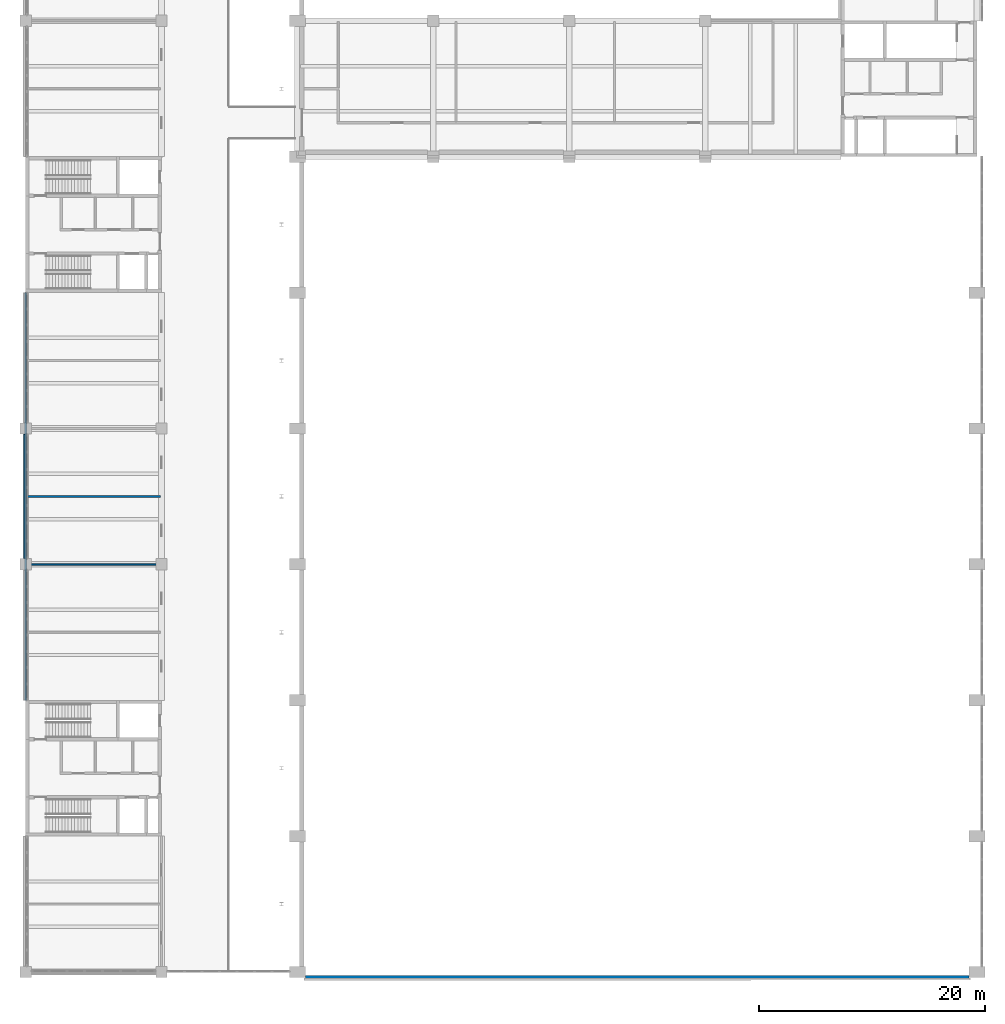
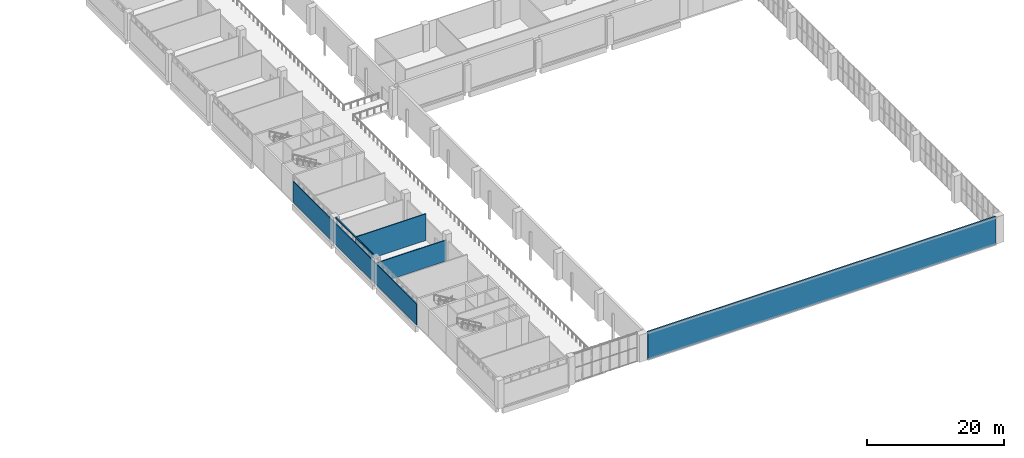
# One storey, part 52 of 69: 5 walls.
"""IFC4 building model written with IfcOpenShell, lengths in metres."""

import ifcopenshell
import ifcopenshell.guid

model = None  # the IFC model being written
_history = None  # IfcOwnerHistory: only IFC2X3 demands one
_inside = {}  # id of a spatial element -> (the spatial element, [elements in it])
_under = {}  # id of a project, library or spatial element -> (it, [spatial elements below it])
_declared = {}  # id of a project -> (the project, [libraries it declares])
_typed = {}  # id of a type object -> (the type object, [elements of that type])
_made_of = {}  # id of a material, layer set ... -> (it, [elements and type objects made of it])


def new_model(schema):
    """Start an empty IFC model of exactly this schema.

    Asked for "IFC4X3", IfcOpenShell would pick the latest addendum, in which some entities
    have other attributes; the version numbers below select the first issue.
    IFC2X3 requires an IfcOwnerHistory on every rooted entity: one is made here for all.
    """
    global model, _history
    if schema == "IFC4X3":
        model = ifcopenshell.file(schema_version=(4, 3, 0, 0))
    else:
        model = ifcopenshell.file(schema=schema)
    _inside.clear()
    _under.clear()
    _declared.clear()
    _typed.clear()
    _made_of.clear()
    _history = None
    if model.schema == "IFC2X3":
        org = make("IfcOrganization", Name="unknown")
        user = make(
            "IfcPersonAndOrganization",
            ThePerson=make("IfcPerson", FamilyName="unknown"),
            TheOrganization=org,
        )
        app = make(
            "IfcApplication",
            ApplicationDeveloper=org,
            Version="unknown",
            ApplicationFullName="unknown",
            ApplicationIdentifier="unknown",
        )
        _history = make(
            "IfcOwnerHistory",
            OwningUser=user,
            OwningApplication=app,
            ChangeAction="ADDED",
            CreationDate=0,
        )
    return model


def make(cls, **values):
    """One entity of the class cls with the attributes given. An attribute that is None is left unset."""
    return model.create_entity(
        cls, **{name: value for name, value in values.items() if value is not None}
    )


def rooted(cls, **values):
    """An entity with a GlobalId (a new one), such as an element, a storey or a relation."""
    return make(cls, GlobalId=ifcopenshell.guid.new(), OwnerHistory=_history, **values)


def si_unit(unit_type, name, prefix=None):
    """IfcSIUnit, for example si_unit("LENGTHUNIT", "METRE", prefix="MILLI")."""
    return make("IfcSIUnit", UnitType=unit_type, Prefix=prefix, Name=name)


def assignment(units):
    """IfcUnitAssignment: the units of a project."""
    return None if units is None else make("IfcUnitAssignment", Units=units)


def point(xyz):
    """IfcCartesianPoint."""
    return None if xyz is None else make("IfcCartesianPoint", Coordinates=xyz)


def direction(xyz):
    """IfcDirection."""
    return None if xyz is None else make("IfcDirection", DirectionRatios=xyz)


def frame(location, z_axis=None, x_axis=None):
    """IfcAxis2Placement3D, a coordinate frame: its origin and axes. An axis left out is left unset."""
    return make(
        "IfcAxis2Placement3D",
        Location=point(location),
        Axis=direction(z_axis),
        RefDirection=direction(x_axis),
    )


def frame_2d(location, x_axis=None):
    """IfcAxis2Placement2D, a coordinate frame in the plane: its origin and x axis."""
    return make(
        "IfcAxis2Placement2D", Location=point(location), RefDirection=direction(x_axis)
    )


def origin():
    """The frame at (0, 0, 0) with its axes left unset."""
    return frame((0.0, 0.0, 0.0))


def place(relative_to, where):
    """IfcLocalPlacement: puts the frame where relative to a parent placement (None: the world)."""
    return make(
        "IfcLocalPlacement", PlacementRelTo=relative_to, RelativePlacement=where
    )


def context(
    kind, dimensions, precision=None, world=None, true_north=None, identifier=None
):
    """IfcGeometricRepresentationContext, for example the 3D "Model" context."""
    return make(
        "IfcGeometricRepresentationContext",
        ContextIdentifier=identifier,
        ContextType=kind,
        CoordinateSpaceDimension=dimensions,
        Precision=precision,
        WorldCoordinateSystem=world,
        TrueNorth=true_north,
    )


def subcontext(parent, identifier, kind, view, scale=None):
    """IfcGeometricRepresentationSubContext, for example "Body" below "Model"."""
    return make(
        "IfcGeometricRepresentationSubContext",
        ContextIdentifier=identifier,
        ContextType=kind,
        ParentContext=parent,
        TargetScale=scale,
        TargetView=view,
    )


def project(units=None, contexts=None):
    """IfcProject with its units and contexts."""
    return rooted(
        "IfcProject",
        Name="project",
        RepresentationContexts=contexts,
        UnitsInContext=assignment(units),
    )


def spatial(cls, under=None, at=None, **own):
    """A site, building, storey or space (cls), placed at a placement, below another one or the project."""
    s = rooted(cls, ObjectPlacement=at, **own)
    if under is not None:
        _under.setdefault(under.id(), (under, []))[1].append(s)
    return s


def profile(cls, at=None, kind="AREA", **sizes):
    """A parametric profile (cls). Its sizes go by their IFC names, for example OverallWidth=200.0."""
    return make(cls, ProfileType=kind, Position=at, **sizes)


def rectangle(**sizes):
    """IfcRectangleProfileDef."""
    return profile("IfcRectangleProfileDef", **sizes)


def extrude(swept, where, along, depth):
    """IfcExtrudedAreaSolid: the profile swept, set in the frame where, extruded along a direction by depth."""
    return make(
        "IfcExtrudedAreaSolid",
        SweptArea=swept,
        Position=where,
        ExtrudedDirection=direction(along),
        Depth=depth,
    )


def shape(context_of_items, identifier, shape_type, items):
    """IfcShapeRepresentation: the items that make up one representation, for example the "Body"."""
    return make(
        "IfcShapeRepresentation",
        ContextOfItems=context_of_items,
        RepresentationIdentifier=identifier,
        RepresentationType=shape_type,
        Items=items,
    )


def material(Name=None, Category=None):
    """IfcMaterial."""
    return make("IfcMaterial", Name=Name, Category=Category)


def layer(
    of_material, thickness, ventilated=None, Name=None, Category=None, Priority=None
):
    """IfcMaterialLayer: one layer of a wall or slab, of a material (None: an air gap)."""
    return make(
        "IfcMaterialLayer",
        Material=of_material,
        LayerThickness=thickness,
        IsVentilated=ventilated,
        Name=Name,
        Category=Category,
        Priority=Priority,
    )


def layer_set(layers, Name=None):
    """IfcMaterialLayerSet."""
    return make("IfcMaterialLayerSet", MaterialLayers=layers, LayerSetName=Name)


def made_of(thing, what):
    """Note that an element or type object is made of a material, layer set ...; save() writes the relation."""
    if what is not None:
        _made_of.setdefault(what.id(), (what, []))[1].append(thing)
    return thing


def type_object(cls, material=None, **own):
    """A type object (cls), such as IfcWallType, which elements share."""
    return made_of(rooted(cls, **own), material)


def element(
    cls,
    number,
    at=None,
    inside=None,
    cuts=None,
    type_object=None,
    material=None,
    context=None,
    identifier="Body",
    shape_type=None,
    held_by="IfcProductDefinitionShape",
    body=None,
    shapes=None,
    **own,
):
    """One element of the class cls, such as IfcWall. Its Tag is "e" and its number.

    at: its placement. inside: the storey or other place that contains it. cuts: it is an
    opening in that element (IfcRelVoidsElement). A single representation is given by context,
    identifier, shape_type and body (its items); several are given by shapes. held_by: the class
    of the entity that holds the representations. save() writes the other relations.
    """
    e = rooted(cls, Tag="e%d" % number, ObjectPlacement=at, **own)
    if body is not None:
        shapes = [shape(context, identifier, shape_type, body)]
    if shapes is not None:
        e.Representation = make(held_by, Representations=shapes)
    if inside is not None:
        _inside.setdefault(inside.id(), (inside, []))[1].append(e)
    if cuts is not None:
        rooted(
            "IfcRelVoidsElement", RelatingBuildingElement=cuts, RelatedOpeningElement=e
        )
    if type_object is not None:
        _typed.setdefault(type_object.id(), (type_object, []))[1].append(e)
    return made_of(e, material)


def aggregate(whole, parts):
    """IfcRelAggregates: a whole, such as a stair, and the parts it consists of."""
    return rooted("IfcRelAggregates", RelatingObject=whole, RelatedObjects=parts)


def save(model, path):
    """Write the relations noted so far, then the file.

    IfcRelAggregates (storeys below a building ...), IfcRelContainedInSpatialStructure (elements
    in a storey), IfcRelDefinesByType, IfcRelAssociatesMaterial and IfcRelDeclares: one each for
    every whole, place, type object, material and project.
    """
    for whole, parts in _under.values():
        aggregate(whole, parts)
    for where, things in _inside.values():
        rooted(
            "IfcRelContainedInSpatialStructure",
            RelatedElements=things,
            RelatingStructure=where,
        )
    for kind, things in _typed.values():
        rooted("IfcRelDefinesByType", RelatedObjects=things, RelatingType=kind)
    for what, things in _made_of.values():
        rooted("IfcRelAssociatesMaterial", RelatedObjects=things, RelatingMaterial=what)
    for by, libraries in _declared.values():
        rooted("IfcRelDeclares", RelatingContext=by, RelatedDefinitions=libraries)
    model.write(path)


model = new_model("IFC4")

# Units and contexts
model_context = context("Model", 3, precision=1e-05, world=origin(), true_north=direction((0.0, 1.0)))
body_context = subcontext(model_context, "Body", "Model", "MODEL_VIEW")
ifc_project = project(units=[si_unit("LENGTHUNIT", "METRE"), si_unit("AREAUNIT", "SQUARE_METRE"), si_unit("VOLUMEUNIT", "CUBIC_METRE"), si_unit("PLANEANGLEUNIT", "RADIAN"), si_unit("MASSUNIT", "GRAM", prefix="KILO")], contexts=[model_context])

# Site, building, storey
site_placement = place(None, origin())
site = spatial("IfcSite", under=ifc_project, at=site_placement, CompositionType="ELEMENT")
building_placement = place(site_placement, origin())
building = spatial("IfcBuilding", under=site, at=building_placement, Name="Lilac Gate Convention Centre", CompositionType="ELEMENT")
storey_placement = place(building_placement, frame((0.0, 0.0, 12.0)))
storey = spatial("IfcBuildingStorey", under=building, at=storey_placement, Name="L02", CompositionType="ELEMENT", Elevation=12.0)

# Walls
ifc_material_1 = material(Name="Insulated sandwich panel, steel faces Q235, mineral wool core", Category="steel")
ifc_layer_1 = layer(ifc_material_1, 0.25)
ifc_layer_set_1 = layer_set([ifc_layer_1], Name="Insulated sandwich panel, steel faces Q235, mineral wool core")
wall_type_1 = type_object("IfcWallType", Name="Hall insulated wall panel 250", PredefinedType="STANDARD", material=ifc_layer_set_1)
wall_1_placement = place(storey_placement, frame((30.699951171875, 29.574951171875, 0.0), z_axis=(0.0, 0.0, 1.0), x_axis=(1.0, 0.0, 0.0)))
element("IfcWall", 1, at=wall_1_placement, inside=storey, type_object=wall_type_1, Name="External wall hall south HS L02 1", PredefinedType="STANDARD", context=body_context, shape_type="SweptSolid", body=[
    extrude(rectangle(XDim=58.60009765625, YDim=0.25, at=frame_2d((29.300048828125, 0.0))), origin(), (0.0, 0.0, 1.0), 5.0),
])
ifc_material_2 = material(Name="Fire-rated gypsum board on steel stud", Category="steel")
ifc_layer_2 = layer(ifc_material_2, 0.14990234375)
ifc_layer_set_2 = layer_set([ifc_layer_2], Name="Fire-rated gypsum board on steel stud")
wall_type_2 = type_object("IfcWallType", Name="Partition 150 fire-rated gypsum board EI 60", PredefinedType="PARTITIONING", material=ifc_layer_set_2)
wall_2_placement = place(storey_placement, frame((6.074951171875, 66.0, 0.0), z_axis=(0.0, 0.0, 1.0), x_axis=(1.0, 0.0, 0.0)))
element("IfcWall", 2, at=wall_2_placement, inside=storey, type_object=wall_type_2, Name="Partition 150 fire-rated gypsum board EI 60", PredefinedType="PARTITIONING", context=body_context, shape_type="SweptSolid", body=[
    extrude(rectangle(XDim=11.824951171875, YDim=0.14990234375, at=frame_2d((5.91259765625, 0.0))), origin(), (0.0, 0.0, 1.0), 3.75),
])
wall_3_placement = place(storey_placement, frame((6.074951171875, 72.0, 0.0), z_axis=(0.0, 0.0, 1.0), x_axis=(1.0, 0.0, 0.0)))
element("IfcWall", 3, at=wall_3_placement, inside=storey, type_object=wall_type_2, Name="Partition 150 fire-rated gypsum board EI 60", PredefinedType="PARTITIONING", context=body_context, shape_type="SweptSolid", body=[
    extrude(rectangle(XDim=11.824951171875, YDim=0.14990234375, at=frame_2d((5.91259765625, 0.0))), origin(), (0.0, 0.0, 1.0), 4.75),
])
wall_4_placement = place(storey_placement, frame((6.0, 54.0, 0.0), z_axis=(0.0, 0.0, 1.0), x_axis=(0.0, 1.0, 0.0)))
element("IfcWall", 4, at=wall_4_placement, inside=storey, type_object=wall_type_2, Name="Partition 150 fire-rated gypsum board EI 60", PredefinedType="PARTITIONING", context=body_context, shape_type="SweptSolid", body=[
    extrude(rectangle(XDim=36.0, YDim=0.14990234375, at=frame_2d((18.0, 0.0))), origin(), (0.0, 0.0, 1.0), 3.75),
])
ifc_material_3 = material(Name="Concrete C40 precast", Category="concrete")
ifc_layer_3 = layer(ifc_material_3, 0.1298828125)
ifc_material_4 = material(Name="Terracotta glazed cladding", Category="masonry")
ifc_layer_4 = layer(ifc_material_4, 0.02001953125)
ifc_layer_set_3 = layer_set([ifc_layer_3, ifc_layer_4], Name="Concrete C40 precast, Terracotta glazed cladding")
wall_type_3 = type_object("IfcWallType", Name="Precast band terracotta 150", PredefinedType="STANDARD", material=ifc_layer_set_3)
wall_5_placement = place(storey_placement, frame((5.925048828125, 77.5, 4.75), z_axis=(0.0, 0.0, 1.0), x_axis=(0.0, -1.0, 0.0)))
element("IfcWall", 5, at=wall_5_placement, inside=storey, type_object=wall_type_3, Name="Precast band PW L02 10", PredefinedType="STANDARD", context=body_context, shape_type="SweptSolid", body=[
    extrude(rectangle(XDim=11.0, YDim=0.14990234375, at=frame_2d((5.5, 0.0))), origin(), (0.0, 0.0, 1.0), 0.25),
])

save(model, "model.ifc")
